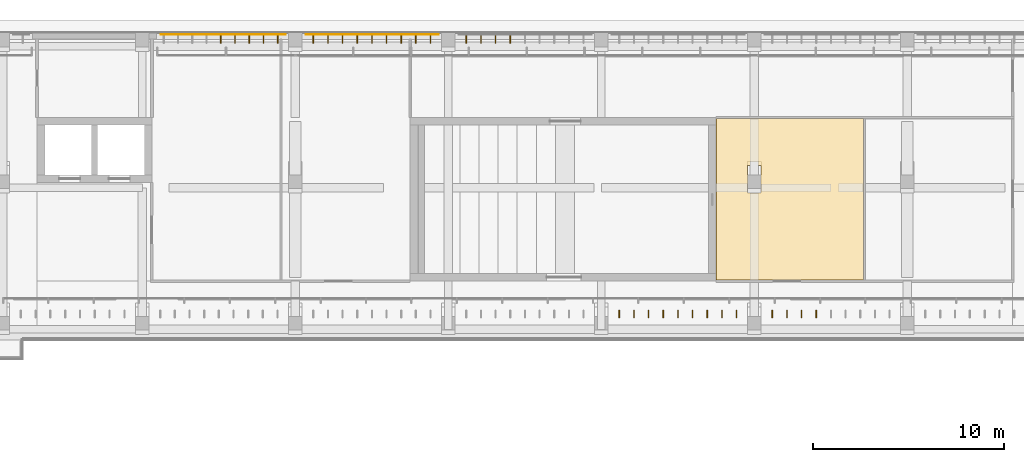
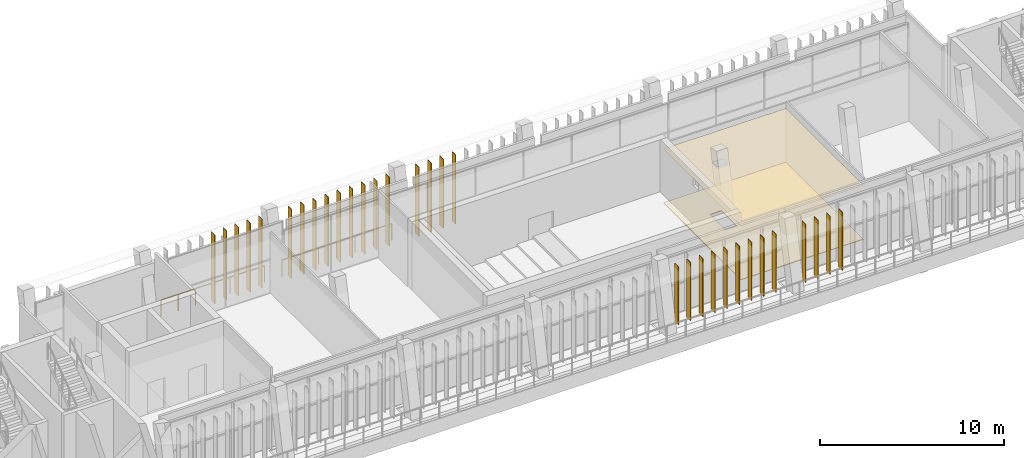
# One storey, part 66 of 74: 31 shading devices, 2 coverings, 2 railings.
"""IFC4 building model written with IfcOpenShell, lengths in metres."""

from ifc_helpers import new_model, si_unit, direction, frame, origin, origin_2d, place, context, subcontext, project, spatial, polyline, rectangle, circle, outline, extrude, material, layer, layer_set, type_object, element, save


model = new_model("IFC4")

# Units and contexts
model_context = context("Model", 3, precision=1e-05, world=origin(), true_north=direction((0.0, 1.0)))
body_context = subcontext(model_context, "Body", "Model", "MODEL_VIEW")
ifc_project = project(units=[si_unit("LENGTHUNIT", "METRE"), si_unit("AREAUNIT", "SQUARE_METRE"), si_unit("VOLUMEUNIT", "CUBIC_METRE"), si_unit("PLANEANGLEUNIT", "RADIAN"), si_unit("MASSUNIT", "GRAM", prefix="KILO")], contexts=[model_context])

# Site, building, storey
site_placement = place(None, origin())
site = spatial("IfcSite", under=ifc_project, at=site_placement, CompositionType="ELEMENT")
building_placement = place(site_placement, origin())
building = spatial("IfcBuilding", under=site, at=building_placement, Name="Lantern Court Media Centre", CompositionType="ELEMENT")
storey_placement = place(building_placement, frame((0.0, 0.0, 19.199951171875)))
storey = spatial("IfcBuildingStorey", under=building, at=storey_placement, Name="L04", CompositionType="ELEMENT", Elevation=19.199951171875)

# Covering
ifc_material_1 = material(Name="Carpet")
ifc_layer_1 = layer(ifc_material_1, 0.050048828125)
ifc_layer_set_1 = layer_set([ifc_layer_1], Name="Carpet")
covering_type_1 = type_object("IfcCoveringType", Name="Carpet floor finish", PredefinedType="FLOORING", material=ifc_layer_set_1)
covering_1_placement = place(storey_placement, origin())
element("IfcCovering", 1, at=covering_1_placement, inside=storey, type_object=covering_type_1, Name="Meeting Room 01 floor finish", PredefinedType="FLOORING", context=body_context, shape_type="SweptSolid", body=[
    extrude(outline(polyline([(69.695068359375, 103.117431640625), (62.0048828125, 103.117431640625), (62.0048828125, 111.544921875), (69.695068359375, 111.544921875), (69.695068359375, 103.117431640625)]), holes=[polyline([(64.35009765625, 107.64501953125), (64.354736328125, 109.30615234375), (63.648193359375, 109.308837890625), (63.645263671875, 107.648193359375), (64.35009765625, 107.64501953125)])]), origin(), (0.0, 0.0, 1.0), 0.050048828125),
])

# Railings
ifc_material_2 = material(Name="Powder-coated steel", Category="steel")
railing_type = type_object("IfcRailingType", Name="Floor edge guard 1100", PredefinedType="GUARDRAIL", material=ifc_material_2)
railing_1_placement = place(storey_placement, frame((32.972900390625, 115.93994140625, 0.0)))
element("IfcRailing", 2, at=railing_1_placement, inside=storey, type_object=railing_type, Name="L04 edge guard 126", PredefinedType="GUARDRAIL", context=body_context, shape_type="SweptSolid", body=[
    extrude(circle(Radius=0.02392578125, at=origin_2d()), frame((0.0, 0.0, 1.076171875), z_axis=(1.0, 0.0, 0.0), x_axis=(0.0, 1.0, 0.0)), (0.0, 0.0, 1.0), 6.498046875),
    extrude(circle(Radius=0.02099609375, at=origin_2d()), origin(), (0.0, 0.0, 1.0), 1.052001953125),
    extrude(circle(Radius=0.02099609375, at=origin_2d()), frame((1.0830078125, 0.0, 0.0)), (0.0, 0.0, 1.0), 1.052001953125),
    extrude(circle(Radius=0.02099609375, at=origin_2d()), frame((2.166015625, 0.0, 0.0)), (0.0, 0.0, 1.0), 1.052001953125),
    extrude(circle(Radius=0.02099609375, at=origin_2d()), frame((3.2490234375, 0.0, 0.0)), (0.0, 0.0, 1.0), 1.052001953125),
    extrude(circle(Radius=0.02099609375, at=origin_2d()), frame((4.33203125, 0.0, 0.0)), (0.0, 0.0, 1.0), 1.052001953125),
    extrude(circle(Radius=0.02099609375, at=origin_2d()), frame((5.4150390625, 0.0, 0.0)), (0.0, 0.0, 1.0), 1.052001953125),
    extrude(circle(Radius=0.02099609375, at=origin_2d()), frame((6.498046875, 0.0, 0.0)), (0.0, 0.0, 1.0), 1.052001953125),
])
railing_2_placement = place(storey_placement, frame((40.571044921875, 115.93994140625, 0.0)))
element("IfcRailing", 3, at=railing_2_placement, inside=storey, type_object=railing_type, Name="L04 edge guard 129", PredefinedType="GUARDRAIL", context=body_context, shape_type="SweptSolid", body=[
    extrude(circle(Radius=0.02392578125, at=origin_2d()), frame((0.0, 0.0, 1.076171875), z_axis=(1.0, 0.0, 0.0), x_axis=(0.0, 1.0, 0.0)), (0.0, 0.0, 1.0), 6.89794921875),
    extrude(circle(Radius=0.02099609375, at=origin_2d()), origin(), (0.0, 0.0, 1.0), 1.052001953125),
    extrude(circle(Radius=0.02099609375, at=origin_2d()), frame((1.149658203125, 0.0, 0.0)), (0.0, 0.0, 1.0), 1.052001953125),
    extrude(circle(Radius=0.02099609375, at=origin_2d()), frame((2.29931640625, 0.0, 0.0)), (0.0, 0.0, 1.0), 1.052001953125),
    extrude(circle(Radius=0.02099609375, at=origin_2d()), frame((3.448974609375, 0.0, 0.0)), (0.0, 0.0, 1.0), 1.052001953125),
    extrude(circle(Radius=0.02099609375, at=origin_2d()), frame((4.5986328125, 0.0, 0.0)), (0.0, 0.0, 1.0), 1.052001953125),
    extrude(circle(Radius=0.02099609375, at=origin_2d()), frame((5.748291015625, 0.0, 0.0)), (0.0, 0.0, 1.0), 1.052001953125),
    extrude(circle(Radius=0.02099609375, at=origin_2d()), frame((6.89794921875, 0.0, 0.0)), (0.0, 0.0, 1.0), 1.052001953125),
])

# Covering
ifc_material_3 = material(Name="Mineral fibre ceiling tile")
ifc_layer_2 = layer(ifc_material_3, 0.02001953125)
ifc_layer_set_2 = layer_set([ifc_layer_2], Name="Mineral fibre ceiling tile")
covering_type_2 = type_object("IfcCoveringType", Name="Suspended ceiling tile", PredefinedType="CEILING", material=ifc_layer_set_2)
covering_2_placement = place(storey_placement, frame((0.0, 0.0, 3.60009765625)))
element("IfcCovering", 4, at=covering_2_placement, inside=storey, type_object=covering_type_2, Name="Meeting Room 01 ceiling", PredefinedType="CEILING", context=body_context, shape_type="SweptSolid", body=[
    extrude(outline(polyline([(69.699462890625, 103.113037109375), (62.00048828125, 103.113037109375), (62.00048828125, 111.549560546875), (69.699462890625, 111.549560546875), (69.699462890625, 103.113037109375)]), holes=[polyline([(64.3505859375, 109.10205078125), (63.649658203125, 109.1025390625), (63.649658203125, 108.60400390625), (64.350341796875, 108.603759765625), (64.3505859375, 109.10205078125)])]), origin(), (0.0, 0.0, 1.0), 0.02001953125),
])

# Shading devices
ifc_material_4 = material(Name="Bronze anodised aluminium louvre", Category="aluminium")
ifc_layer_3 = layer(ifc_material_4, 0.0400390625)
ifc_layer_set_3 = layer_set([ifc_layer_3], Name="Bronze anodised aluminium louvre")
shading_device_type_1 = type_object("IfcShadingDeviceType", Name="Vertical louvre 40x400 full storey", PredefinedType="USERDEFINED", material=ifc_layer_set_3)
for number, where, z_axis, x_axis, name in (
    (5, (36.10009765625, 115.679931640625, 0.0), (0.0, 0.0, 1.0), (1.0, 0.0, 0.0), "Vertical louvre N outer L04"),
    (6, (36.844482421875, 115.679931640625, 0.0), (0.0, 0.0, 1.0), (1.0, 0.0, 0.0), "Vertical louvre N outer L04"),
    (7, (37.5888671875, 115.679931640625, 0.0), (0.0, 0.0, 1.0), (1.0, 0.0, 0.0), "Vertical louvre N outer L04"),
    (8, (38.333251953125, 115.679931640625, 0.0), (0.0, 0.0, 1.0), (1.0, 0.0, 0.0), "Vertical louvre N outer L04"),
    (9, (39.077880859375, 115.679931640625, 0.0), (0.0, 0.0, 1.0), (1.0, 0.0, 0.0), "Vertical louvre N outer L04"),
    (10, (40.933349609375, 115.679931640625, 0.0), (0.0, 0.0, 1.0), (1.0, 0.0, 0.0), "Vertical louvre N outer L04"),
    (11, (41.699951171875, 115.679931640625, 0.0), (0.0, 0.0, 1.0), (1.0, 0.0, 0.0), "Vertical louvre N outer L04"),
    (12, (42.466552734375, 115.679931640625, 0.0), (0.0, 0.0, 1.0), (1.0, 0.0, 0.0), "Vertical louvre N outer L04"),
    (13, (43.2333984375, 115.679931640625, 0.0), (0.0, 0.0, 1.0), (1.0, 0.0, 0.0), "Vertical louvre N outer L04"),
    (14, (44.0, 115.679931640625, 0.0), (0.0, 0.0, 1.0), (1.0, 0.0, 0.0), "Vertical louvre N outer L04"),
    (15, (44.7666015625, 115.679931640625, 0.0), (0.0, 0.0, 1.0), (1.0, 0.0, 0.0), "Vertical louvre N outer L04"),
    (16, (45.533447265625, 115.679931640625, 0.0), (0.0, 0.0, 1.0), (1.0, 0.0, 0.0), "Vertical louvre N outer L04"),
    (17, (46.300048828125, 115.679931640625, 0.0), (0.0, 0.0, 1.0), (1.0, 0.0, 0.0), "Vertical louvre N outer L04"),
    (18, (47.066650390625, 115.679931640625, 0.0), (0.0, 0.0, 1.0), (1.0, 0.0, 0.0), "Vertical louvre N outer L04"),
    (19, (48.933349609375, 115.679931640625, 0.0), (0.0, 0.0, 1.0), (1.0, 0.0, 0.0), "Vertical louvre N outer L04"),
    (20, (49.699951171875, 115.679931640625, 0.0), (0.0, 0.0, 1.0), (1.0, 0.0, 0.0), "Vertical louvre N outer L04"),
    (21, (50.466552734375, 115.679931640625, 0.0), (0.0, 0.0, 1.0), (1.0, 0.0, 0.0), "Vertical louvre N outer L04"),
    (22, (51.2333984375, 115.679931640625, 0.0), (0.0, 0.0, 1.0), (1.0, 0.0, 0.0), "Vertical louvre N outer L04"),
):
    element("IfcShadingDevice", number, at=place(storey_placement, frame(where, z_axis=z_axis, x_axis=x_axis)), inside=storey, type_object=shading_device_type_1, Name=name, ObjectType="VERTICAL LOUVRE", PredefinedType="USERDEFINED", context=body_context, shape_type="SweptSolid", body=[
        extrude(rectangle(XDim=0.0400390625, YDim=0.39990234375, at=origin_2d()), origin(), (0.0, 0.0, 1.0), 4.580078125),
    ])
ifc_layer_4 = layer(ifc_material_4, 0.0400390625)
ifc_layer_set_4 = layer_set([ifc_layer_4], Name="Bronze anodised aluminium louvre")
shading_device_type_2 = type_object("IfcShadingDeviceType", Name="Vertical louvre 40x400 under beam", PredefinedType="USERDEFINED", material=ifc_layer_set_4)
for number, where, z_axis, x_axis, name in (
    (23, (56.933349609375, 101.320068359375, 0.0), (0.0, 0.0, 1.0), (1.0, 0.0, 0.0), "Vertical louvre N inner L04"),
    (24, (57.699951171875, 101.320068359375, 0.0), (0.0, 0.0, 1.0), (1.0, 0.0, 0.0), "Vertical louvre N inner L04"),
    (25, (58.466552734375, 101.320068359375, 0.0), (0.0, 0.0, 1.0), (1.0, 0.0, 0.0), "Vertical louvre N inner L04"),
    (26, (59.2333984375, 101.320068359375, 0.0), (0.0, 0.0, 1.0), (1.0, 0.0, 0.0), "Vertical louvre N inner L04"),
    (27, (60.0, 101.320068359375, 0.0), (0.0, 0.0, 1.0), (1.0, 0.0, 0.0), "Vertical louvre N inner L04"),
    (28, (60.7666015625, 101.320068359375, 0.0), (0.0, 0.0, 1.0), (1.0, 0.0, 0.0), "Vertical louvre N inner L04"),
    (29, (61.533447265625, 101.320068359375, 0.0), (0.0, 0.0, 1.0), (1.0, 0.0, 0.0), "Vertical louvre N inner L04"),
    (30, (62.300048828125, 101.320068359375, 0.0), (0.0, 0.0, 1.0), (1.0, 0.0, 0.0), "Vertical louvre N inner L04"),
    (31, (63.066650390625, 101.320068359375, 0.0), (0.0, 0.0, 1.0), (1.0, 0.0, 0.0), "Vertical louvre N inner L04"),
    (32, (64.933349609375, 101.320068359375, 0.0), (0.0, 0.0, 1.0), (1.0, 0.0, 0.0), "Vertical louvre N inner L04"),
    (33, (65.699951171875, 101.320068359375, 0.0), (0.0, 0.0, 1.0), (1.0, 0.0, 0.0), "Vertical louvre N inner L04"),
    (34, (66.466552734375, 101.320068359375, 0.0), (0.0, 0.0, 1.0), (1.0, 0.0, 0.0), "Vertical louvre N inner L04"),
    (35, (67.2333984375, 101.320068359375, 0.0), (0.0, 0.0, 1.0), (1.0, 0.0, 0.0), "Vertical louvre N inner L04"),
):
    element("IfcShadingDevice", number, at=place(storey_placement, frame(where, z_axis=z_axis, x_axis=x_axis)), inside=storey, type_object=shading_device_type_2, Name=name, ObjectType="VERTICAL LOUVRE", PredefinedType="USERDEFINED", context=body_context, shape_type="SweptSolid", body=[
        extrude(rectangle(XDim=0.0400390625, YDim=0.39990234375, at=origin_2d()), origin(), (0.0, 0.0, 1.0), 3.89990234375),
    ])

save(model, "model.ifc")
